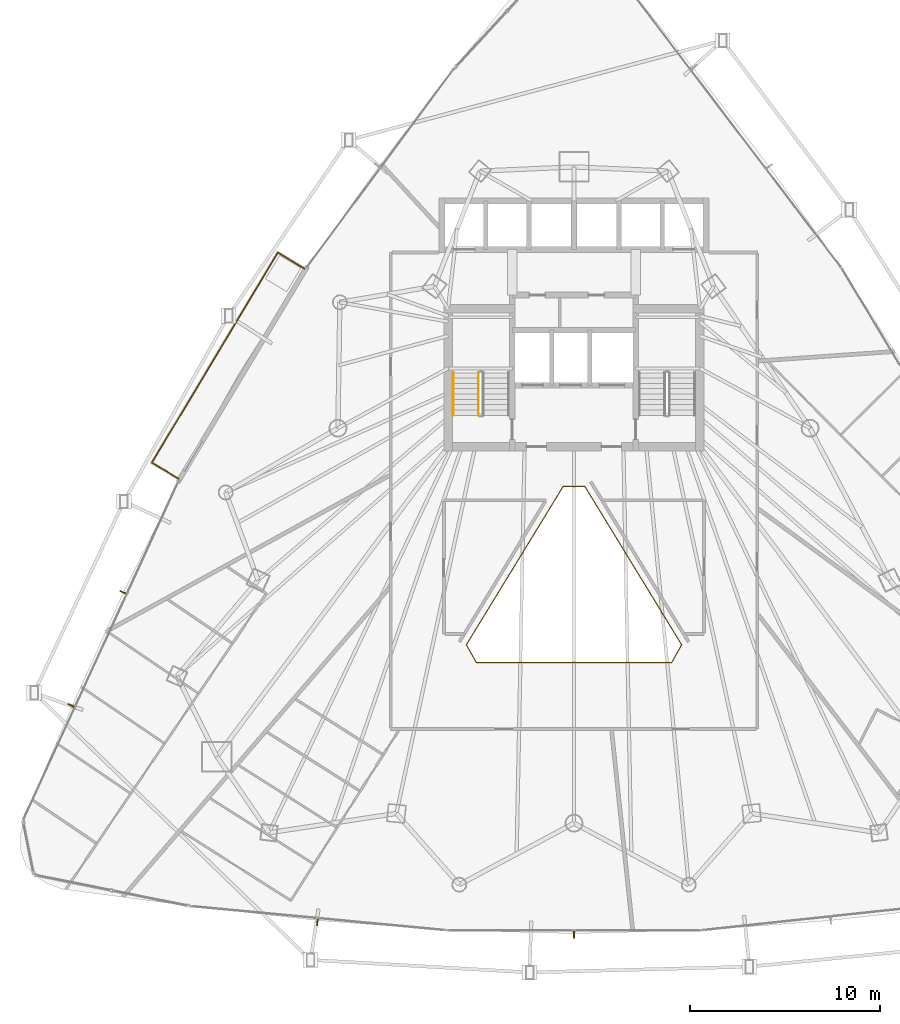
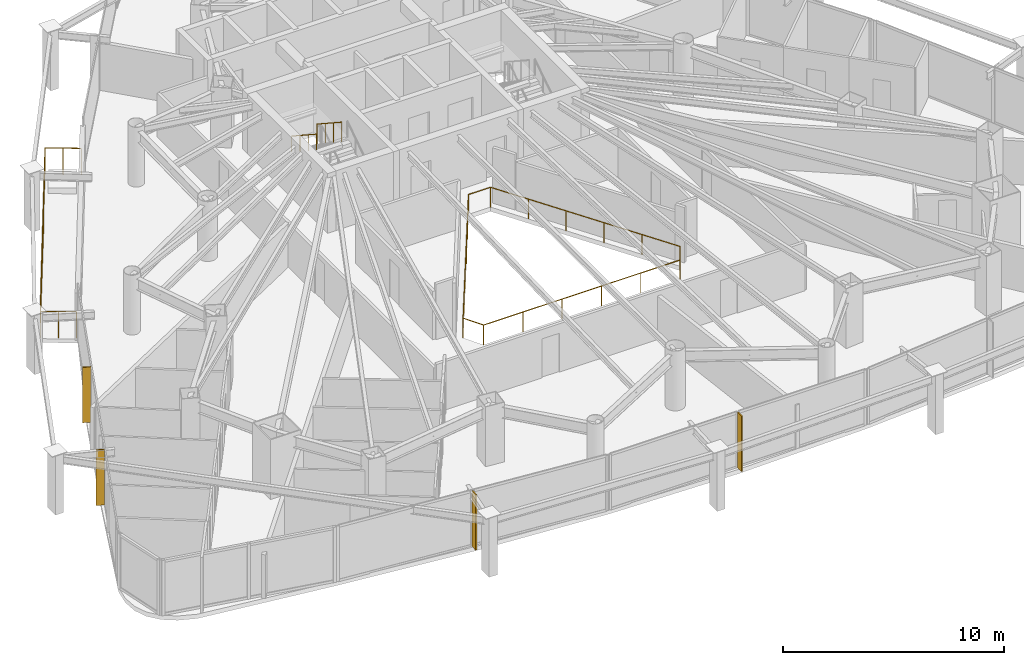
# One storey, part 32 of 35: 4 railings, 4 shading devices.
"""IFC4 building model written with IfcOpenShell, lengths in metres."""

import ifcopenshell
import ifcopenshell.guid

model = None  # the IFC model being written
_history = None  # IfcOwnerHistory: only IFC2X3 demands one
_inside = {}  # id of a spatial element -> (the spatial element, [elements in it])
_under = {}  # id of a project, library or spatial element -> (it, [spatial elements below it])
_declared = {}  # id of a project -> (the project, [libraries it declares])
_typed = {}  # id of a type object -> (the type object, [elements of that type])
_made_of = {}  # id of a material, layer set ... -> (it, [elements and type objects made of it])


def new_model(schema):
    """Start an empty IFC model of exactly this schema.

    Asked for "IFC4X3", IfcOpenShell would pick the latest addendum, in which some entities
    have other attributes; the version numbers below select the first issue.
    IFC2X3 requires an IfcOwnerHistory on every rooted entity: one is made here for all.
    """
    global model, _history
    if schema == "IFC4X3":
        model = ifcopenshell.file(schema_version=(4, 3, 0, 0))
    else:
        model = ifcopenshell.file(schema=schema)
    _inside.clear()
    _under.clear()
    _declared.clear()
    _typed.clear()
    _made_of.clear()
    _history = None
    if model.schema == "IFC2X3":
        org = make("IfcOrganization", Name="unknown")
        user = make(
            "IfcPersonAndOrganization",
            ThePerson=make("IfcPerson", FamilyName="unknown"),
            TheOrganization=org,
        )
        app = make(
            "IfcApplication",
            ApplicationDeveloper=org,
            Version="unknown",
            ApplicationFullName="unknown",
            ApplicationIdentifier="unknown",
        )
        _history = make(
            "IfcOwnerHistory",
            OwningUser=user,
            OwningApplication=app,
            ChangeAction="ADDED",
            CreationDate=0,
        )
    return model


def make(cls, **values):
    """One entity of the class cls with the attributes given. An attribute that is None is left unset."""
    return model.create_entity(
        cls, **{name: value for name, value in values.items() if value is not None}
    )


def rooted(cls, **values):
    """An entity with a GlobalId (a new one), such as an element, a storey or a relation."""
    return make(cls, GlobalId=ifcopenshell.guid.new(), OwnerHistory=_history, **values)


def si_unit(unit_type, name, prefix=None):
    """IfcSIUnit, for example si_unit("LENGTHUNIT", "METRE", prefix="MILLI")."""
    return make("IfcSIUnit", UnitType=unit_type, Prefix=prefix, Name=name)


def assignment(units):
    """IfcUnitAssignment: the units of a project."""
    return None if units is None else make("IfcUnitAssignment", Units=units)


def point(xyz):
    """IfcCartesianPoint."""
    return None if xyz is None else make("IfcCartesianPoint", Coordinates=xyz)


def direction(xyz):
    """IfcDirection."""
    return None if xyz is None else make("IfcDirection", DirectionRatios=xyz)


def frame(location, z_axis=None, x_axis=None):
    """IfcAxis2Placement3D, a coordinate frame: its origin and axes. An axis left out is left unset."""
    return make(
        "IfcAxis2Placement3D",
        Location=point(location),
        Axis=direction(z_axis),
        RefDirection=direction(x_axis),
    )


def frame_2d(location, x_axis=None):
    """IfcAxis2Placement2D, a coordinate frame in the plane: its origin and x axis."""
    return make(
        "IfcAxis2Placement2D", Location=point(location), RefDirection=direction(x_axis)
    )


def origin():
    """The frame at (0, 0, 0) with its axes left unset."""
    return frame((0.0, 0.0, 0.0))


def origin_2d():
    """The frame at (0, 0) in the plane with its x axis left unset."""
    return frame_2d((0.0, 0.0))


def place(relative_to, where):
    """IfcLocalPlacement: puts the frame where relative to a parent placement (None: the world)."""
    return make(
        "IfcLocalPlacement", PlacementRelTo=relative_to, RelativePlacement=where
    )


def context(
    kind, dimensions, precision=None, world=None, true_north=None, identifier=None
):
    """IfcGeometricRepresentationContext, for example the 3D "Model" context."""
    return make(
        "IfcGeometricRepresentationContext",
        ContextIdentifier=identifier,
        ContextType=kind,
        CoordinateSpaceDimension=dimensions,
        Precision=precision,
        WorldCoordinateSystem=world,
        TrueNorth=true_north,
    )


def subcontext(parent, identifier, kind, view, scale=None):
    """IfcGeometricRepresentationSubContext, for example "Body" below "Model"."""
    return make(
        "IfcGeometricRepresentationSubContext",
        ContextIdentifier=identifier,
        ContextType=kind,
        ParentContext=parent,
        TargetScale=scale,
        TargetView=view,
    )


def project(units=None, contexts=None):
    """IfcProject with its units and contexts."""
    return rooted(
        "IfcProject",
        Name="project",
        RepresentationContexts=contexts,
        UnitsInContext=assignment(units),
    )


def spatial(cls, under=None, at=None, **own):
    """A site, building, storey or space (cls), placed at a placement, below another one or the project."""
    s = rooted(cls, ObjectPlacement=at, **own)
    if under is not None:
        _under.setdefault(under.id(), (under, []))[1].append(s)
    return s


def profile(cls, at=None, kind="AREA", **sizes):
    """A parametric profile (cls). Its sizes go by their IFC names, for example OverallWidth=200.0."""
    return make(cls, ProfileType=kind, Position=at, **sizes)


def rectangle(**sizes):
    """IfcRectangleProfileDef."""
    return profile("IfcRectangleProfileDef", **sizes)


def circle(**sizes):
    """IfcCircleProfileDef."""
    return profile("IfcCircleProfileDef", **sizes)


def extrude(swept, where, along, depth):
    """IfcExtrudedAreaSolid: the profile swept, set in the frame where, extruded along a direction by depth."""
    return make(
        "IfcExtrudedAreaSolid",
        SweptArea=swept,
        Position=where,
        ExtrudedDirection=direction(along),
        Depth=depth,
    )


def shape(context_of_items, identifier, shape_type, items):
    """IfcShapeRepresentation: the items that make up one representation, for example the "Body"."""
    return make(
        "IfcShapeRepresentation",
        ContextOfItems=context_of_items,
        RepresentationIdentifier=identifier,
        RepresentationType=shape_type,
        Items=items,
    )


def material(Name=None, Category=None):
    """IfcMaterial."""
    return make("IfcMaterial", Name=Name, Category=Category)


def layer(
    of_material, thickness, ventilated=None, Name=None, Category=None, Priority=None
):
    """IfcMaterialLayer: one layer of a wall or slab, of a material (None: an air gap)."""
    return make(
        "IfcMaterialLayer",
        Material=of_material,
        LayerThickness=thickness,
        IsVentilated=ventilated,
        Name=Name,
        Category=Category,
        Priority=Priority,
    )


def layer_set(layers, Name=None):
    """IfcMaterialLayerSet."""
    return make("IfcMaterialLayerSet", MaterialLayers=layers, LayerSetName=Name)


def made_of(thing, what):
    """Note that an element or type object is made of a material, layer set ...; save() writes the relation."""
    if what is not None:
        _made_of.setdefault(what.id(), (what, []))[1].append(thing)
    return thing


def type_object(cls, material=None, **own):
    """A type object (cls), such as IfcWallType, which elements share."""
    return made_of(rooted(cls, **own), material)


def element(
    cls,
    number,
    at=None,
    inside=None,
    cuts=None,
    type_object=None,
    material=None,
    context=None,
    identifier="Body",
    shape_type=None,
    held_by="IfcProductDefinitionShape",
    body=None,
    shapes=None,
    **own,
):
    """One element of the class cls, such as IfcWall. Its Tag is "e" and its number.

    at: its placement. inside: the storey or other place that contains it. cuts: it is an
    opening in that element (IfcRelVoidsElement). A single representation is given by context,
    identifier, shape_type and body (its items); several are given by shapes. held_by: the class
    of the entity that holds the representations. save() writes the other relations.
    """
    e = rooted(cls, Tag="e%d" % number, ObjectPlacement=at, **own)
    if body is not None:
        shapes = [shape(context, identifier, shape_type, body)]
    if shapes is not None:
        e.Representation = make(held_by, Representations=shapes)
    if inside is not None:
        _inside.setdefault(inside.id(), (inside, []))[1].append(e)
    if cuts is not None:
        rooted(
            "IfcRelVoidsElement", RelatingBuildingElement=cuts, RelatedOpeningElement=e
        )
    if type_object is not None:
        _typed.setdefault(type_object.id(), (type_object, []))[1].append(e)
    return made_of(e, material)


def aggregate(whole, parts):
    """IfcRelAggregates: a whole, such as a stair, and the parts it consists of."""
    return rooted("IfcRelAggregates", RelatingObject=whole, RelatedObjects=parts)


def save(model, path):
    """Write the relations noted so far, then the file.

    IfcRelAggregates (storeys below a building ...), IfcRelContainedInSpatialStructure (elements
    in a storey), IfcRelDefinesByType, IfcRelAssociatesMaterial and IfcRelDeclares: one each for
    every whole, place, type object, material and project.
    """
    for whole, parts in _under.values():
        aggregate(whole, parts)
    for where, things in _inside.values():
        rooted(
            "IfcRelContainedInSpatialStructure",
            RelatedElements=things,
            RelatingStructure=where,
        )
    for kind, things in _typed.values():
        rooted("IfcRelDefinesByType", RelatedObjects=things, RelatingType=kind)
    for what, things in _made_of.values():
        rooted("IfcRelAssociatesMaterial", RelatedObjects=things, RelatingMaterial=what)
    for by, libraries in _declared.values():
        rooted("IfcRelDeclares", RelatingContext=by, RelatedDefinitions=libraries)
    model.write(path)


model = new_model("IFC4")

# Units and contexts
model_context = context("Model", 3, precision=1e-05, world=origin(), true_north=direction((0.0, 1.0)))
body_context = subcontext(model_context, "Body", "Model", "MODEL_VIEW")
ifc_project = project(units=[si_unit("LENGTHUNIT", "METRE"), si_unit("AREAUNIT", "SQUARE_METRE"), si_unit("VOLUMEUNIT", "CUBIC_METRE"), si_unit("PLANEANGLEUNIT", "RADIAN"), si_unit("MASSUNIT", "GRAM", prefix="KILO")], contexts=[model_context])

# Site, building, storey
site_placement = place(None, origin())
site = spatial("IfcSite", under=ifc_project, at=site_placement, CompositionType="ELEMENT")
building_placement = place(site_placement, origin())
building = spatial("IfcBuilding", under=site, at=building_placement, Name="Orvanel Arch Residences", CompositionType="ELEMENT")
storey_placement = place(building_placement, frame((0.0, 0.0, 30.199951171875)))
storey = spatial("IfcBuildingStorey", under=building, at=storey_placement, Name="L07", CompositionType="ELEMENT", Elevation=30.199951171875)

# Shading devices
ifc_material_1 = material(Name="Bronze-anodised aluminium AA6063-T6", Category="aluminium")
ifc_layer = layer(ifc_material_1, 0.06005859375)
ifc_layer_set = layer_set([ifc_layer], Name="Bronze-anodised aluminium AA6063-T6")
shading_device_type = type_object("IfcShadingDeviceType", Name="FIN-BRZ-380", PredefinedType="USERDEFINED", material=ifc_layer_set)
for number, where, z_axis, x_axis, name in (
    (1, (9.257080078125, 18.9990234375, 0.0), (0.0, 0.0, 1.0), (-0.909236109047, 0.41628079226, 0.0), "L07 Anodised Bronze Mullion FIN 01"),
    (2, (6.52587890625, 13.0419921875, 0.0), (0.0, 0.0, 1.0), (-0.909236109047, 0.41628079226, 0.0), "L07 Anodised Bronze Mullion FIN 02"),
    (3, (19.490966796875, 1.6240234375, 0.0), (0.0, 0.0, 1.0), (-0.094108313319, -0.995561964603, 0.0), "L07 Anodised Bronze Mullion FIN 01"),
    (4, (33.0, 0.987060546875, 0.0), (0.0, 0.0, 1.0), (0.0, -1.0, 0.0), "L07 Anodised Bronze Mullion FIN 01"),
):
    element("IfcShadingDevice", number, at=place(storey_placement, frame(where, z_axis=z_axis, x_axis=x_axis)), inside=storey, type_object=shading_device_type, Name=name, ObjectType="FIN", PredefinedType="USERDEFINED", context=body_context, shape_type="SweptSolid", body=[
        extrude(rectangle(XDim=0.3798828125, YDim=0.06005859375, at=origin_2d()), origin(), (0.0, 0.0, 1.0), 3.06005859375),
    ])

# Railings
railing_type_1 = type_object("IfcRailingType", Name="RL-ATR-1120", PredefinedType="BALUSTRADE", material=ifc_material_1)
railing_1_placement = place(storey_placement, frame((33.573974609375, 24.56103515625, 0.0)))
element("IfcRailing", 5, at=railing_1_placement, inside=storey, type_object=railing_type_1, Name="L07 Atrium Void Protective Balustrade", PredefinedType="BALUSTRADE", context=body_context, shape_type="SweptSolid", body=[
    extrude(circle(Radius=0.02392578125, at=origin_2d()), frame((-0.00146484375, 0.0, 1.09619140625), z_axis=(-1.0, 0.0, 0.0), x_axis=(0.0, -1.0, 0.0)), (0.0, 0.0, 1.0), 1.14501953125),
    extrude(circle(Radius=0.02392578125, at=origin_2d()), frame((-1.148681640625, -0.001220703125, 1.09619140625), z_axis=(-0.521588691776, -0.853197067864, 0.0), x_axis=(0.853197067864, -0.521588691776, 0.0)), (0.0, 0.0, 1.0), 9.751953125),
    extrude(circle(Radius=0.02392578125, at=origin_2d()), frame((-6.2353515625, -8.32421875, 1.09619140625), z_axis=(0.489894911212, -0.871781495542, 0.0), x_axis=(0.871781495542, 0.489894911212, 0.0)), (0.0, 0.0, 1.0), 1.072998046875),
    extrude(circle(Radius=0.02392578125, at=origin_2d()), frame((-5.70751953125, -9.260986328125, 1.09619140625), z_axis=(1.0, 0.0, 0.0), x_axis=(0.0, 1.0, 0.0)), (0.0, 0.0, 1.0), 10.26708984375),
    extrude(circle(Radius=0.02392578125, at=origin_2d()), frame((4.561767578125, -9.259765625, 1.09619140625), z_axis=(0.489894911212, 0.871781495542, 0.0), x_axis=(-0.871781495542, 0.489894911212, 0.0)), (0.0, 0.0, 1.0), 1.072998046875),
    extrude(circle(Radius=0.02392578125, at=origin_2d()), frame((5.08740234375, -8.32177734375, 1.09619140625), z_axis=(-0.521588691776, 0.853197067864, 0.0), x_axis=(-0.853197067864, -0.521588691776, 0.0)), (0.0, 0.0, 1.0), 9.751953125),
    extrude(circle(Radius=0.02099609375, at=origin_2d()), origin(), (0.0, 0.0, 1.0), 1.070068359375),
    extrude(circle(Radius=0.02099609375, at=origin_2d()), frame((-1.14794921875, 0.0, 0.0)), (0.0, 0.0, 1.0), 1.070068359375),
    extrude(circle(Radius=0.02099609375, at=origin_2d()), frame((-2.16552734375, -1.66455078125, 0.0)), (0.0, 0.0, 1.0), 1.070068359375),
    extrude(circle(Radius=0.02099609375, at=origin_2d()), frame((-3.18310546875, -3.3291015625, 0.0)), (0.0, 0.0, 1.0), 1.070068359375),
    extrude(circle(Radius=0.02099609375, at=origin_2d()), frame((-4.200927734375, -4.993896484375, 0.0)), (0.0, 0.0, 1.0), 1.070068359375),
    extrude(circle(Radius=0.02099609375, at=origin_2d()), frame((-5.218505859375, -6.658447265625, 0.0)), (0.0, 0.0, 1.0), 1.070068359375),
    extrude(circle(Radius=0.02099609375, at=origin_2d()), frame((-6.236083984375, -8.322998046875, 0.0)), (0.0, 0.0, 1.0), 1.070068359375),
    extrude(circle(Radius=0.02099609375, at=origin_2d()), frame((-5.708984375, -9.260986328125, 0.0)), (0.0, 0.0, 1.0), 1.070068359375),
    extrude(circle(Radius=0.02099609375, at=origin_2d()), frame((-3.655029296875, -9.260986328125, 0.0)), (0.0, 0.0, 1.0), 1.070068359375),
    extrude(circle(Radius=0.02099609375, at=origin_2d()), frame((-1.60107421875, -9.260986328125, 0.0)), (0.0, 0.0, 1.0), 1.070068359375),
    extrude(circle(Radius=0.02099609375, at=origin_2d()), frame((0.453125, -9.260986328125, 0.0)), (0.0, 0.0, 1.0), 1.070068359375),
    extrude(circle(Radius=0.02099609375, at=origin_2d()), frame((2.507080078125, -9.260986328125, 0.0)), (0.0, 0.0, 1.0), 1.070068359375),
    extrude(circle(Radius=0.02099609375, at=origin_2d()), frame((4.56103515625, -9.260986328125, 0.0)), (0.0, 0.0, 1.0), 1.070068359375),
    extrude(circle(Radius=0.02099609375, at=origin_2d()), frame((5.088134765625, -8.322998046875, 0.0)), (0.0, 0.0, 1.0), 1.070068359375),
    extrude(circle(Radius=0.02099609375, at=origin_2d()), frame((4.070556640625, -6.658447265625, 0.0)), (0.0, 0.0, 1.0), 1.070068359375),
    extrude(circle(Radius=0.02099609375, at=origin_2d()), frame((3.052978515625, -4.993896484375, 0.0)), (0.0, 0.0, 1.0), 1.070068359375),
    extrude(circle(Radius=0.02099609375, at=origin_2d()), frame((2.03515625, -3.3291015625, 0.0)), (0.0, 0.0, 1.0), 1.070068359375),
    extrude(circle(Radius=0.02099609375, at=origin_2d()), frame((1.017578125, -1.66455078125, 0.0)), (0.0, 0.0, 1.0), 1.070068359375),
])
railing_type_2 = type_object("IfcRailingType", Name="RL-BAL-1480", PredefinedType="BALUSTRADE", material=ifc_material_1)
railing_2_placement = place(storey_placement, frame((18.81396484375, 36.0380859375, 0.0)))
element("IfcRailing", 6, at=railing_2_placement, inside=storey, type_object=railing_type_2, Name="L07 Balcony Perimeter Guardrail Face 1", PredefinedType="BALUSTRADE", context=body_context, shape_type="SweptSolid", body=[
    extrude(circle(Radius=0.02392578125, at=origin_2d()), frame((-0.001220703125, 0.000732421875, 1.4560546875), z_axis=(-0.857387817543, 0.514670895164, 0.0), x_axis=(-0.514670895164, -0.857387817543, 0.0)), (0.0, 0.0, 1.0), 1.636962890625),
    extrude(circle(Radius=0.02392578125, at=origin_2d()), frame((-1.40673828125, 0.8427734375, 1.4560546875), z_axis=(-0.514403855854, -0.85754805876, 0.0), x_axis=(0.85754805876, -0.514403855854, 0.0)), (0.0, 0.0, 1.0), 12.8896484375),
    extrude(circle(Radius=0.02392578125, at=origin_2d()), frame((-8.036865234375, -10.212890625, 1.4560546875), z_axis=(0.857584807373, -0.514342588322, 0.0), x_axis=(0.514342588322, 0.857584807373, 0.0)), (0.0, 0.0, 1.0), 1.637939453125),
    extrude(circle(Radius=0.02099609375, at=origin_2d()), origin(), (0.0, 0.0, 1.0), 1.429931640625),
    extrude(circle(Radius=0.02099609375, at=origin_2d()), frame((-0.703125, 0.421875, 0.0)), (0.0, 0.0, 1.0), 1.429931640625),
    extrude(circle(Radius=0.02099609375, at=origin_2d()), frame((-1.406005859375, 0.843994140625, 0.0)), (0.0, 0.0, 1.0), 1.429931640625),
    extrude(circle(Radius=0.02099609375, at=origin_2d()), frame((-2.009033203125, -0.1611328125, 0.0)), (0.0, 0.0, 1.0), 1.429931640625),
    extrude(circle(Radius=0.02099609375, at=origin_2d()), frame((-2.61181640625, -1.166259765625, 0.0)), (0.0, 0.0, 1.0), 1.429931640625),
    extrude(circle(Radius=0.02099609375, at=origin_2d()), frame((-3.21484375, -2.17138671875, 0.0)), (0.0, 0.0, 1.0), 1.429931640625),
    extrude(circle(Radius=0.02099609375, at=origin_2d()), frame((-3.817626953125, -3.176513671875, 0.0)), (0.0, 0.0, 1.0), 1.429931640625),
    extrude(circle(Radius=0.02099609375, at=origin_2d()), frame((-4.420654296875, -4.181640625, 0.0)), (0.0, 0.0, 1.0), 1.429931640625),
    extrude(circle(Radius=0.02099609375, at=origin_2d()), frame((-5.0234375, -5.1865234375, 0.0)), (0.0, 0.0, 1.0), 1.429931640625),
    extrude(circle(Radius=0.02099609375, at=origin_2d()), frame((-5.62646484375, -6.191650390625, 0.0)), (0.0, 0.0, 1.0), 1.429931640625),
    extrude(circle(Radius=0.02099609375, at=origin_2d()), frame((-6.229248046875, -7.19677734375, 0.0)), (0.0, 0.0, 1.0), 1.429931640625),
    extrude(circle(Radius=0.02099609375, at=origin_2d()), frame((-6.832275390625, -8.201904296875, 0.0)), (0.0, 0.0, 1.0), 1.429931640625),
    extrude(circle(Radius=0.02099609375, at=origin_2d()), frame((-7.43505859375, -9.20703125, 0.0)), (0.0, 0.0, 1.0), 1.429931640625),
    extrude(circle(Radius=0.02099609375, at=origin_2d()), frame((-8.0380859375, -10.212158203125, 0.0)), (0.0, 0.0, 1.0), 1.429931640625),
    extrude(circle(Radius=0.02099609375, at=origin_2d()), frame((-7.33447265625, -10.63427734375, 0.0)), (0.0, 0.0, 1.0), 1.429931640625),
    extrude(circle(Radius=0.02099609375, at=origin_2d()), frame((-6.630859375, -11.05615234375, 0.0)), (0.0, 0.0, 1.0), 1.429931640625),
])
ifc_material_2 = material(Name="Structural steel AS/NZS 1163 C350L0 (Grade 350)", Category="steel")
railing_type_3 = type_object("IfcRailingType", Name="RL-STAIR-GUARD", PredefinedType="GUARDRAIL", material=ifc_material_2)
railing_3_placement = place(storey_placement, frame((27.969970703125, 30.56005859375, 1.83349609375)))
element("IfcRailing", 7, at=railing_3_placement, inside=storey, type_object=railing_type_3, Name="L07 ST-1 stair guard 3", PredefinedType="GUARDRAIL", context=body_context, shape_type="SweptSolid", body=[
    extrude(circle(Radius=0.02392578125, at=origin_2d()), frame((0.0, -0.001220703125, 1.076904296875), z_axis=(0.0, -0.836636935527, 0.547757827979), x_axis=(1.0, 0.0, 0.0)), (0.0, 0.0, 1.0), 2.67431640625),
    extrude(circle(Radius=0.02099609375, at=origin_2d()), origin(), (0.0, 0.0, 1.0), 1.050048828125),
    extrude(circle(Radius=0.02099609375, at=origin_2d()), frame((0.0, -0.74658203125, 0.48876953125)), (0.0, 0.0, 1.0), 1.050048828125),
    extrude(circle(Radius=0.02099609375, at=origin_2d()), frame((0.0, -1.493408203125, 0.977783203125)), (0.0, 0.0, 1.0), 1.050048828125),
    extrude(circle(Radius=0.02099609375, at=origin_2d()), frame((0.0, -2.239990234375, 1.466552734375)), (0.0, 0.0, 1.0), 1.050048828125),
])
railing_type_4 = type_object("IfcRailingType", Name="RL-STAIR-HAND", PredefinedType="HANDRAIL", material=ifc_material_2)
railing_4_placement = place(storey_placement, frame((26.64990234375, 30.56005859375, 1.83349609375)))
element("IfcRailing", 8, at=railing_4_placement, inside=storey, type_object=railing_type_4, Name="L07 ST-1 stair handrail 2", PredefinedType="HANDRAIL", context=body_context, shape_type="SweptSolid", body=[
    extrude(circle(Radius=0.02392578125, at=origin_2d()), frame((0.0, -0.001220703125, 0.876708984375), z_axis=(0.0, -0.836636935527, 0.547757827979), x_axis=(1.0, 0.0, 0.0)), (0.0, 0.0, 1.0), 2.67431640625),
    extrude(circle(Radius=0.02099609375, at=origin_2d()), origin(), (0.0, 0.0, 1.0), 0.849853515625),
    extrude(circle(Radius=0.02099609375, at=origin_2d()), frame((0.0, -0.74658203125, 0.48876953125)), (0.0, 0.0, 1.0), 0.849853515625),
    extrude(circle(Radius=0.02099609375, at=origin_2d()), frame((0.0, -1.493408203125, 0.977783203125)), (0.0, 0.0, 1.0), 0.849853515625),
    extrude(circle(Radius=0.02099609375, at=origin_2d()), frame((0.0, -2.239990234375, 1.466552734375)), (0.0, 0.0, 1.0), 0.849853515625),
])

save(model, "model.ifc")
